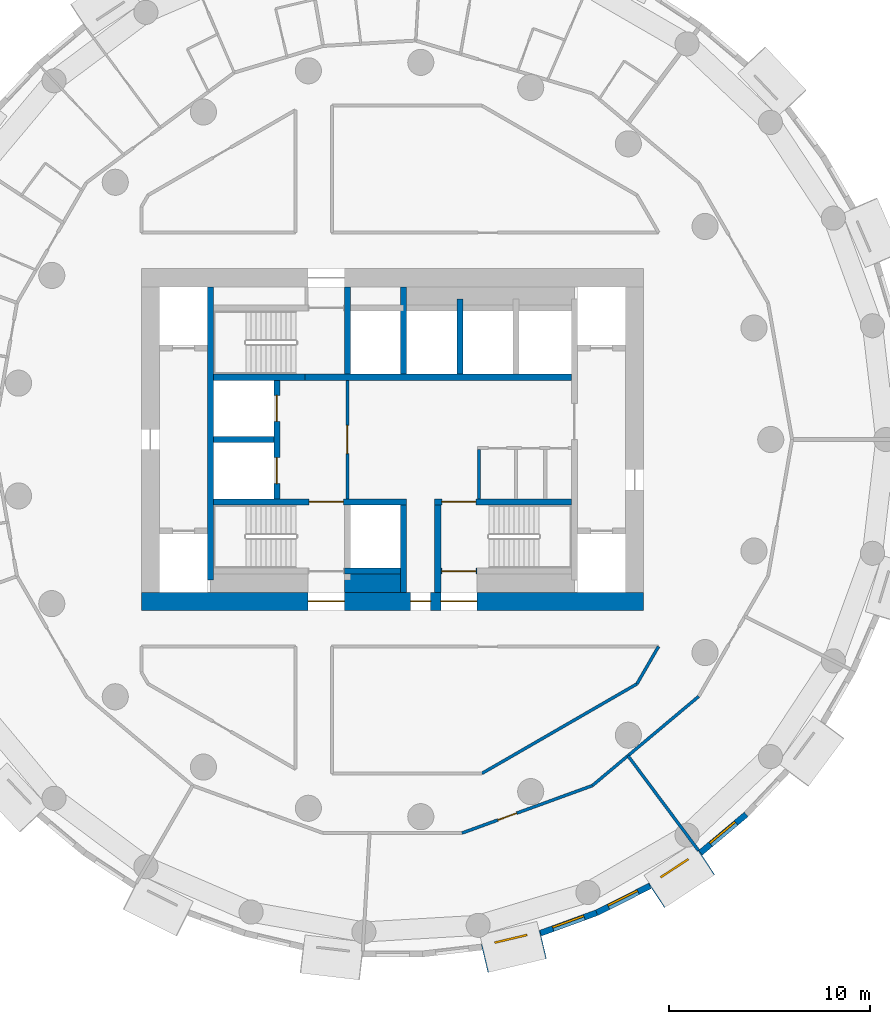
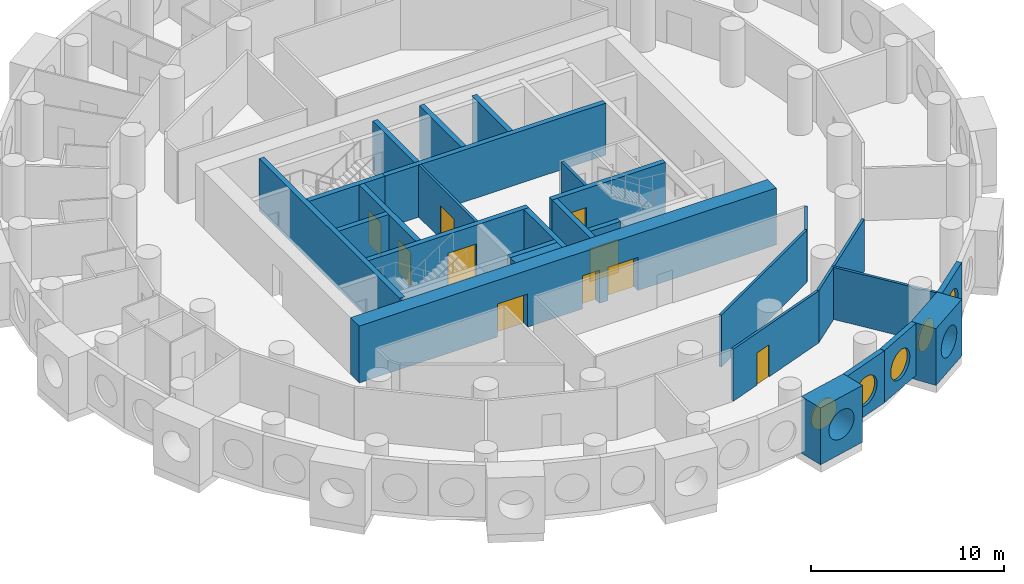
# One storey, part 4 of 10: 28 walls, 10 doors, 5 windows, 15 openings.
"""IFC4 building model written with IfcOpenShell, lengths in metres."""

from ifc_helpers import new_model, si_unit, direction, frame, frame_2d, origin, origin_2d, place, context, subcontext, project, spatial, rectangle, circle, extrude, material, layer, layer_set, type_object, element, fill, save


model = new_model("IFC4")

# Units and contexts
model_context = context("Model", 3, precision=1e-05, world=origin(), true_north=direction((0.0, 1.0)))
body_context = subcontext(model_context, "Body", "Model", "MODEL_VIEW")
ifc_project = project(units=[si_unit("LENGTHUNIT", "METRE"), si_unit("AREAUNIT", "SQUARE_METRE"), si_unit("VOLUMEUNIT", "CUBIC_METRE"), si_unit("PLANEANGLEUNIT", "RADIAN"), si_unit("MASSUNIT", "GRAM", prefix="KILO")], contexts=[model_context])

# Site, building, storey
site_placement = place(None, origin())
site = spatial("IfcSite", under=ifc_project, at=site_placement, CompositionType="ELEMENT")
building_placement = place(site_placement, origin())
building = spatial("IfcBuilding", under=site, at=building_placement, Name="Tracery Tower", CompositionType="ELEMENT")
storey_placement = place(building_placement, frame((0.0, 0.0, 140.39990234375)))
storey = spatial("IfcBuildingStorey", under=building, at=storey_placement, Name="L35", CompositionType="ELEMENT", Elevation=140.39990234375)

# Wall, opening, door
ifc_material_1 = material(Name="Plasterboard on steel studs", Category="steel")
ifc_layer_1 = layer(ifc_material_1, 0.14990234375)
ifc_layer_set_1 = layer_set([ifc_layer_1], Name="Core lobby partition 150")
wall_type_1 = type_object("IfcWallType", Name="Core lobby partition 150", PredefinedType="SOLIDWALL", material=ifc_layer_set_1)
wall_1_placement = place(storey_placement, frame((-2.25, -2.949951171875, 0.0), z_axis=(0.0, 0.0, 1.0), x_axis=(0.0, 1.0, 0.0)))
wall_1 = element("IfcWall", 1, at=wall_1_placement, inside=storey, type_object=wall_type_1, Name="L35 FF lobby E", PredefinedType="SOLIDWALL", context=body_context, shape_type="SweptSolid", body=[
    extrude(rectangle(XDim=5.89990234375, YDim=0.14990234375, at=frame_2d((2.949951171875, 0.0))), origin(), (0.0, 0.0, 1.0), 3.300048828125),
])
opening_1_placement = place(wall_1_placement, frame((2.25, 0.0, 0.0)))
opening_1 = element("IfcOpeningElement", 2, at=opening_1_placement, cuts=wall_1, Name="Opening KD8", PredefinedType="OPENING", context=body_context, shape_type="SweptSolid", body=[
    extrude(rectangle(XDim=1.39990234375, YDim=2.10009765625, at=frame_2d((0.699951171875, 1.050048828125))), frame((0.0, 0.074951171875, 0.0), z_axis=(0.0, -1.0, 0.0), x_axis=(1.0, 0.0, 0.0)), (0.0, 0.0, 1.0), 0.14990234375),
])
ifc_material_2 = material(Name="Steel fire door", Category="steel")
door_type_1 = type_object("IfcDoorType", Name="Core lobby door 1400 double", OperationType="NOTDEFINED", PredefinedType="DOOR", material=ifc_material_2)
door_1_placement = place(opening_1_placement, origin())
door_1 = element("IfcDoor", 3, at=door_1_placement, inside=storey, type_object=door_type_1, Name="Fire-fighting lobby door", OperationType="DOUBLE_DOOR_SINGLE_SWING", OverallHeight=2.10009765625, OverallWidth=1.39990234375, PredefinedType="DOOR", context=body_context, shape_type="SweptSolid", body=[
    extrude(rectangle(XDim=1.39990234375, YDim=2.10009765625, at=frame_2d((0.699951171875, 1.050048828125))), frame((0.0, 0.02490234375, 0.0), z_axis=(0.0, -1.0, 0.0), x_axis=(1.0, 0.0, 0.0)), (0.0, 0.0, 1.0), 0.050048828125),
])
fill(opening_1, door_1)

# Walls
ifc_material_3 = material(Name="Plasterboard on steel studs", Category="steel")
ifc_layer_2 = layer(ifc_material_3, 0.14990234375)
ifc_layer_set_2 = layer_set([ifc_layer_2], Name="Core room partition 150")
wall_type_2 = type_object("IfcWallType", Name="Core room partition 150", PredefinedType="SOLIDWALL", material=ifc_layer_set_2)
wall_2_placement = place(storey_placement, frame((4.300048828125, -2.949951171875, 0.0), z_axis=(0.0, 0.0, 1.0), x_axis=(0.0, 1.0, 0.0)))
element("IfcWall", 4, at=wall_2_placement, inside=storey, type_object=wall_type_2, Name="L35 slot W", PredefinedType="SOLIDWALL", context=body_context, shape_type="SweptSolid", body=[
    extrude(rectangle(XDim=2.449951171875, YDim=0.14990234375, at=frame_2d((1.22509765625, 0.0))), origin(), (0.0, 0.0, 1.0), 3.300048828125),
])
ifc_material_4 = material(Name="Concrete C50/60", Category="concrete")
ifc_layer_3 = layer(ifc_material_4, 0.89990234375)
ifc_layer_set_3 = layer_set([ifc_layer_3], Name="Core strip wall 900 C50")
wall_type_3 = type_object("IfcWallType", Name="Core strip wall 900 C50", PredefinedType="SOLIDWALL", material=ifc_layer_set_3)
wall_3_placement = place(storey_placement, frame((-2.39990234375, -7.14990234375, 0.0), z_axis=(0.0, 0.0, 1.0), x_axis=(1.0, 0.0, 0.0)))
element("IfcWall", 5, at=wall_3_placement, inside=storey, type_object=wall_type_3, Name="L35 F thick S mid", PredefinedType="SOLIDWALL", context=body_context, shape_type="SweptSolid", body=[
    extrude(rectangle(XDim=2.7998046875, YDim=0.89990234375, at=frame_2d((1.39990234375, 0.0))), origin(), (0.0, 0.0, 1.0), 3.300048828125),
])

# Wall, openings, doors
ifc_material_5 = material(Name="Concrete C50/60", Category="concrete")
ifc_layer_4 = layer(ifc_material_5, 0.89990234375)
ifc_layer_set_4 = layer_set([ifc_layer_4], Name="Core wall 900 C50")
wall_type_4 = type_object("IfcWallType", Name="Core wall 900 C50", PredefinedType="SOLIDWALL", material=ifc_layer_set_4)
wall_4_placement = place(storey_placement, frame((-12.5, -8.050048828125, 0.0), z_axis=(0.0, 0.0, 1.0), x_axis=(1.0, 0.0, 0.0)))
wall_4 = element("IfcWall", 6, at=wall_4_placement, inside=storey, type_object=wall_type_4, Name="L35 outer S", PredefinedType="SOLIDWALL", context=body_context, shape_type="SweptSolid", body=[
    extrude(rectangle(XDim=25.0, YDim=0.89990234375, at=frame_2d((12.5, 0.0))), origin(), (0.0, 0.0, 1.0), 3.60009765625),
])
opening_2_placement = place(wall_4_placement, frame((13.39990234375, 0.0, 0.0)))
opening_2 = element("IfcOpeningElement", 7, at=opening_2_placement, cuts=wall_4, Name="Opening KD16", PredefinedType="OPENING", context=body_context, shape_type="SweptSolid", body=[
    extrude(rectangle(XDim=1.0, YDim=2.10009765625, at=frame_2d((0.5, 1.050048828125))), frame((0.0, 0.449951171875, 0.0), z_axis=(0.0, -1.0, 0.0), x_axis=(1.0, 0.0, 0.0)), (0.0, 0.0, 1.0), 0.89990234375),
])
opening_3_placement = place(wall_4_placement, frame((8.300048828125, 0.0, 0.0)))
opening_3 = element("IfcOpeningElement", 8, at=opening_3_placement, cuts=wall_4, Name="Opening KD13", PredefinedType="OPENING", context=body_context, shape_type="SweptSolid", body=[
    extrude(rectangle(XDim=1.800048828125, YDim=2.10009765625, at=frame_2d((0.89990234375, 1.050048828125))), frame((0.0, 0.449951171875, 0.0), z_axis=(0.0, -1.0, 0.0), x_axis=(1.0, 0.0, 0.0)), (0.0, 0.0, 1.0), 0.89990234375),
])
opening_4_placement = place(wall_4_placement, frame((14.89990234375, 0.0, 0.0)))
opening_4 = element("IfcOpeningElement", 9, at=opening_4_placement, cuts=wall_4, Name="Opening KD13", PredefinedType="OPENING", context=body_context, shape_type="SweptSolid", body=[
    extrude(rectangle(XDim=1.800048828125, YDim=2.10009765625, at=frame_2d((0.89990234375, 1.050048828125))), frame((0.0, 0.449951171875, 0.0), z_axis=(0.0, -1.0, 0.0), x_axis=(1.0, 0.0, 0.0)), (0.0, 0.0, 1.0), 0.89990234375),
])
ifc_material_6 = material(Name="Steel fire door", Category="steel")
door_type_2 = type_object("IfcDoorType", Name="Core exit door 1000", OperationType="NOTDEFINED", PredefinedType="DOOR", material=ifc_material_6)
door_2_placement = place(opening_2_placement, origin())
door_2 = element("IfcDoor", 10, at=door_2_placement, inside=storey, type_object=door_type_2, Name="Core exit door", OperationType="SINGLE_SWING_LEFT", OverallHeight=2.10009765625, OverallWidth=1.0, PredefinedType="DOOR", context=body_context, shape_type="SweptSolid", body=[
    extrude(rectangle(XDim=1.0, YDim=2.10009765625, at=frame_2d((0.5, 1.050048828125))), frame((0.0, 0.02490234375, 0.0), z_axis=(0.0, -1.0, 0.0), x_axis=(1.0, 0.0, 0.0)), (0.0, 0.0, 1.0), 0.050048828125),
])
fill(opening_2, door_2)
ifc_material_7 = material(Name="Steel fire door", Category="steel")
door_type_3 = type_object("IfcDoorType", Name="Core exit door 1800 double", OperationType="NOTDEFINED", PredefinedType="DOOR", material=ifc_material_7)
door_3_placement = place(opening_3_placement, origin())
door_3 = element("IfcDoor", 11, at=door_3_placement, inside=storey, type_object=door_type_3, Name="Core exit door", OperationType="DOUBLE_DOOR_SINGLE_SWING", OverallHeight=2.10009765625, OverallWidth=1.800048828125, PredefinedType="DOOR", context=body_context, shape_type="SweptSolid", body=[
    extrude(rectangle(XDim=1.800048828125, YDim=2.10009765625, at=frame_2d((0.89990234375, 1.050048828125))), frame((0.0, 0.02490234375, 0.0), z_axis=(0.0, -1.0, 0.0), x_axis=(1.0, 0.0, 0.0)), (0.0, 0.0, 1.0), 0.050048828125),
])
fill(opening_3, door_3)
door_4_placement = place(opening_4_placement, origin())
door_4 = element("IfcDoor", 12, at=door_4_placement, inside=storey, type_object=door_type_3, Name="Core exit door", OperationType="DOUBLE_DOOR_SINGLE_SWING", OverallHeight=2.10009765625, OverallWidth=1.800048828125, PredefinedType="DOOR", context=body_context, shape_type="SweptSolid", body=[
    extrude(rectangle(XDim=1.800048828125, YDim=2.10009765625, at=frame_2d((0.89990234375, 1.050048828125))), frame((0.0, 0.02490234375, 0.0), z_axis=(0.0, -1.0, 0.0), x_axis=(1.0, 0.0, 0.0)), (0.0, 0.0, 1.0), 0.050048828125),
])
fill(opening_4, door_4)

# Wall, opening, window
ifc_material_8 = material(Name="Precast concrete C50/60", Category="concrete")
ifc_layer_5 = layer(ifc_material_8, 1.449951171875)
ifc_layer_set_5 = layer_set([ifc_layer_5], Name="Deep-set bay unit 3000 x 3600, slab edge 300")
wall_type_5 = type_object("IfcWallType", Name="Deep-set bay unit 3000 x 3600, slab edge 300", PredefinedType="ELEMENTEDWALL", material=ifc_layer_set_5)
wall_5_placement = place(storey_placement, frame((4.57763671875, -25.8193359375, -0.2998046875), z_axis=(0.0, 0.0, 1.0), x_axis=(0.973042333261, 0.23062657627, 0.0)))
wall_5 = element("IfcWall", 13, at=wall_5_placement, inside=storey, type_object=wall_type_5, Name="Deep-set bay unit 43 at L35", PredefinedType="ELEMENTEDWALL", context=body_context, shape_type="SweptSolid", body=[
    extrude(rectangle(XDim=3.0, YDim=1.449951171875, at=frame_2d((1.5, 0.0))), origin(), (0.0, 0.0, 1.0), 3.599853515625),
])
opening_5_placement = place(wall_5_placement, frame((1.5, 0.0, 1.85009765625)))
opening_5 = element("IfcOpeningElement", 14, at=opening_5_placement, cuts=wall_5, Name="Opening WN1", PredefinedType="OPENING", context=body_context, shape_type="SweptSolid", body=[
    extrude(circle(Radius=0.9000244140625, at=origin_2d()), frame((0.0, 0.73486328125, 0.0), z_axis=(0.0, -1.0, 0.0), x_axis=(1.0, 0.0, 0.0)), (0.0, 0.0, 1.0), 1.469970703125),
])
ifc_material_9 = material(Name="Aluminium frame with tinted double glazing", Category="aluminium")
window_type = type_object("IfcWindowType", Name="Round window 1800", PartitioningType="SINGLE_PANEL", PredefinedType="WINDOW", material=ifc_material_9)
window_1_placement = place(opening_5_placement, origin())
window_1 = element("IfcWindow", 15, at=window_1_placement, inside=storey, type_object=window_type, Name="Round window 43 at L35", OverallHeight=1.800048828125, OverallWidth=1.800048828125, PartitioningType="SINGLE_PANEL", PredefinedType="WINDOW", context=body_context, shape_type="SweptSolid", body=[
    extrude(circle(Radius=0.9000244140625, at=origin_2d()), frame((0.0, 0.69482421875, 0.0), z_axis=(0.0, -1.0, 0.0), x_axis=(1.0, 0.0, 0.0)), (0.0, 0.0, 1.0), 0.10009765625),
])
fill(opening_5, window_1)

wall_6_placement = place(storey_placement, frame((13.13232421875, -22.696533203125, -0.2998046875), z_axis=(0.0, 0.0, 1.0), x_axis=(0.835514416706, 0.549468524554, 0.0)))
wall_6 = element("IfcWall", 16, at=wall_6_placement, inside=storey, type_object=wall_type_5, Name="Deep-set bay unit 46 at L35", PredefinedType="ELEMENTEDWALL", context=body_context, shape_type="SweptSolid", body=[
    extrude(rectangle(XDim=3.0, YDim=1.449951171875, at=frame_2d((1.5, 0.0))), origin(), (0.0, 0.0, 1.0), 3.599853515625),
])
opening_6_placement = place(wall_6_placement, frame((1.5, 0.0, 1.85009765625)))
opening_6 = element("IfcOpeningElement", 17, at=opening_6_placement, cuts=wall_6, Name="Opening WN1", PredefinedType="OPENING", context=body_context, shape_type="SweptSolid", body=[
    extrude(circle(Radius=0.9000244140625, at=origin_2d()), frame((0.0, 0.73486328125, 0.0), z_axis=(0.0, -1.0, 0.0), x_axis=(1.0, 0.0, 0.0)), (0.0, 0.0, 1.0), 1.469970703125),
])
window_2_placement = place(opening_6_placement, origin())
window_2 = element("IfcWindow", 18, at=window_2_placement, inside=storey, type_object=window_type, Name="Round window 46 at L35", OverallHeight=1.800048828125, OverallWidth=1.800048828125, PartitioningType="SINGLE_PANEL", PredefinedType="WINDOW", context=body_context, shape_type="SweptSolid", body=[
    extrude(circle(Radius=0.9000244140625, at=origin_2d()), frame((0.0, 0.69482421875, 0.0), z_axis=(0.0, -1.0, 0.0), x_axis=(1.0, 0.0, 0.0)), (0.0, 0.0, 1.0), 0.10009765625),
])
fill(opening_6, window_2)

ifc_material_10 = material(Name="Precast concrete C50/60", Category="concrete")
ifc_layer_6 = layer(ifc_material_10, 0.300048828125)
ifc_layer_set_6 = layer_set([ifc_layer_6], Name="Facade panel 3000 x 3300")
wall_type_6 = type_object("IfcWallType", Name="Facade panel 3000 x 3300", PredefinedType="SOLIDWALL", material=ifc_layer_set_6)
wall_7_placement = place(storey_placement, frame((7.36474609375, -24.566650390625, 0.0), z_axis=(0.0, 0.0, 1.0), x_axis=(0.939690282133, 0.342026568652, 0.0)))
wall_7 = element("IfcWall", 19, at=wall_7_placement, inside=storey, type_object=wall_type_6, Name="Facade panel 44 at L35", PredefinedType="SOLIDWALL", context=body_context, shape_type="SweptSolid", body=[
    extrude(rectangle(XDim=2.972900390625, YDim=0.300048828125, at=frame_2d((1.486328125, 0.0))), origin(), (0.0, 0.0, 1.0), 3.300048828125),
])
opening_7_placement = place(wall_7_placement, frame((1.486328125, 0.0, 1.5498046875)))
opening_7 = element("IfcOpeningElement", 20, at=opening_7_placement, cuts=wall_7, Name="Opening WN1", PredefinedType="OPENING", context=body_context, shape_type="SweptSolid", body=[
    extrude(circle(Radius=0.9000244140625, at=origin_2d()), frame((0.0, 0.159912109375, 0.0), z_axis=(0.0, -1.0, 0.0), x_axis=(1.0, 0.0, 0.0)), (0.0, 0.0, 1.0), 0.320068359375),
])
window_3_placement = place(opening_7_placement, origin())
window_3 = element("IfcWindow", 21, at=window_3_placement, inside=storey, type_object=window_type, Name="Round window 44 at L35", OverallHeight=1.800048828125, OverallWidth=1.800048828125, PartitioningType="SINGLE_PANEL", PredefinedType="WINDOW", context=body_context, shape_type="SweptSolid", body=[
    extrude(circle(Radius=0.9000244140625, at=origin_2d()), frame((0.0, 0.1201171875, 0.0), z_axis=(0.0, -1.0, 0.0), x_axis=(1.0, 0.0, 0.0)), (0.0, 0.0, 1.0), 0.10009765625),
])
fill(opening_7, window_3)

wall_8_placement = place(storey_placement, frame((10.158447265625, -23.5498046875, 0.0), z_axis=(0.0, 0.0, 1.0), x_axis=(0.893637442555, 0.448789618045, 0.0)))
wall_8 = element("IfcWall", 22, at=wall_8_placement, inside=storey, type_object=wall_type_6, Name="Facade panel 45 at L35", PredefinedType="SOLIDWALL", context=body_context, shape_type="SweptSolid", body=[
    extrude(rectangle(XDim=2.972900390625, YDim=0.300048828125, at=frame_2d((1.486328125, 0.0))), origin(), (0.0, 0.0, 1.0), 3.300048828125),
])
opening_8_placement = place(wall_8_placement, frame((1.486328125, 0.0, 1.5498046875)))
opening_8 = element("IfcOpeningElement", 23, at=opening_8_placement, cuts=wall_8, Name="Opening WN1", PredefinedType="OPENING", context=body_context, shape_type="SweptSolid", body=[
    extrude(circle(Radius=0.9000244140625, at=origin_2d()), frame((0.0, 0.159912109375, 0.0), z_axis=(0.0, -1.0, 0.0), x_axis=(1.0, 0.0, 0.0)), (0.0, 0.0, 1.0), 0.320068359375),
])
window_4_placement = place(opening_8_placement, origin())
window_4 = element("IfcWindow", 24, at=window_4_placement, inside=storey, type_object=window_type, Name="Round window 45 at L35", OverallHeight=1.800048828125, OverallWidth=1.800048828125, PartitioningType="SINGLE_PANEL", PredefinedType="WINDOW", context=body_context, shape_type="SweptSolid", body=[
    extrude(circle(Radius=0.9000244140625, at=origin_2d()), frame((0.0, 0.1201171875, 0.0), z_axis=(0.0, -1.0, 0.0), x_axis=(1.0, 0.0, 0.0)), (0.0, 0.0, 1.0), 0.10009765625),
])
fill(opening_8, window_4)

wall_9_placement = place(storey_placement, frame((15.322998046875, -20.566162109375, 0.0), z_axis=(0.0, 0.0, 1.0), x_axis=(0.766049350637, 0.642781761089, 0.0)))
wall_9 = element("IfcWall", 25, at=wall_9_placement, inside=storey, type_object=wall_type_6, Name="Facade panel 47 at L35", PredefinedType="SOLIDWALL", context=body_context, shape_type="SweptSolid", body=[
    extrude(rectangle(XDim=2.972900390625, YDim=0.300048828125, at=frame_2d((1.486328125, 0.0))), origin(), (0.0, 0.0, 1.0), 3.300048828125),
])
opening_9_placement = place(wall_9_placement, frame((1.486328125, 0.0, 1.5498046875)))
opening_9 = element("IfcOpeningElement", 26, at=opening_9_placement, cuts=wall_9, Name="Opening WN1", PredefinedType="OPENING", context=body_context, shape_type="SweptSolid", body=[
    extrude(circle(Radius=0.9000244140625, at=origin_2d()), frame((0.0, 0.159912109375, 0.0), z_axis=(0.0, -1.0, 0.0), x_axis=(1.0, 0.0, 0.0)), (0.0, 0.0, 1.0), 0.320068359375),
])
window_5_placement = place(opening_9_placement, origin())
window_5 = element("IfcWindow", 27, at=window_5_placement, inside=storey, type_object=window_type, Name="Round window 47 at L35", OverallHeight=1.800048828125, OverallWidth=1.800048828125, PartitioningType="SINGLE_PANEL", PredefinedType="WINDOW", context=body_context, shape_type="SweptSolid", body=[
    extrude(circle(Radius=0.9000244140625, at=origin_2d()), frame((0.0, 0.1201171875, 0.0), z_axis=(0.0, -1.0, 0.0), x_axis=(1.0, 0.0, 0.0)), (0.0, 0.0, 1.0), 0.10009765625),
])
fill(opening_9, window_5)

# Walls
ifc_material_11 = material(Name="Plasterboard on steel studs", Category="steel")
ifc_layer_7 = layer(ifc_material_11, 0.14990234375)
ifc_layer_set_7 = layer_set([ifc_layer_7], Name="Partition 150 acoustic unit wall")
wall_type_7 = type_object("IfcWallType", Name="Partition 150 acoustic unit wall", PredefinedType="PARTITIONING", material=ifc_layer_set_7)
wall_10_placement = place(storey_placement, frame((11.716064453125, -15.737060546875, 0.0), z_axis=(0.0, 0.0, 1.0), x_axis=(0.597151875745, -0.802128192557, 0.0)))
element("IfcWall", 28, at=wall_10_placement, inside=storey, type_object=wall_type_7, Name="Unit wall RB2-079", PredefinedType="PARTITIONING", context=body_context, shape_type="SweptSolid", body=[
    extrude(rectangle(XDim=5.8779296875, YDim=0.14990234375, at=frame_2d((2.93896484375, 0.0))), origin(), (0.0, 0.0, 1.0), 3.300048828125),
])
ifc_material_12 = material(Name="Plasterboard on steel studs", Category="steel")
ifc_layer_8 = layer(ifc_material_12, 0.14990234375)
ifc_layer_set_8 = layer_set([ifc_layer_8], Name="Partition 150 corridor wall")
wall_type_8 = type_object("IfcWallType", Name="Partition 150 corridor wall", PredefinedType="PARTITIONING", material=ifc_layer_set_8)
wall_11_placement = place(storey_placement, frame((12.162109375, -12.162109375, 0.0), z_axis=(0.0, 0.0, 1.0), x_axis=(0.499961633463, 0.866047553582, 0.0)))
element("IfcWall", 29, at=wall_11_placement, inside=storey, type_object=wall_type_8, Name="Corridor wall RB2-006", PredefinedType="PARTITIONING", context=body_context, shape_type="SweptSolid", body=[
    extrude(rectangle(XDim=2.150146484375, YDim=0.14990234375, at=frame_2d((1.0751953125, 0.0))), origin(), (0.0, 0.0, 1.0), 3.300048828125),
])
wall_12_placement = place(storey_placement, frame((9.943359375, -17.22216796875, 0.0), z_axis=(0.0, 0.0, 1.0), x_axis=(0.766192104565, 0.642611592567, 0.0)))
element("IfcWall", 30, at=wall_12_placement, inside=storey, type_object=wall_type_8, Name="Corridor wall RB2-011", PredefinedType="PARTITIONING", context=body_context, shape_type="SweptSolid", body=[
    extrude(rectangle(XDim=6.906494140625, YDim=0.14990234375, at=frame_2d((3.453125, 0.0))), origin(), (0.0, 0.0, 1.0), 3.300048828125),
])
wall_13_placement = place(storey_placement, frame((4.451904296875, -16.614013671875, 0.0), z_axis=(0.0, 0.0, 1.0), x_axis=(0.866005203721, 0.500034985904, 0.0)))
element("IfcWall", 31, at=wall_13_placement, inside=storey, type_object=wall_type_8, Name="Corridor wall RB2-036", PredefinedType="PARTITIONING", context=body_context, shape_type="SweptSolid", body=[
    extrude(rectangle(XDim=8.903076171875, YDim=0.14990234375, at=frame_2d((4.45166015625, 0.0))), origin(), (0.0, 0.0, 1.0), 3.300048828125),
])

# Wall, opening, door
wall_14_placement = place(storey_placement, frame((3.452880859375, -19.5859375, 0.0), z_axis=(0.0, 0.0, 1.0), x_axis=(0.939672634566, 0.342075050021, 0.0)))
wall_14 = element("IfcWall", 32, at=wall_14_placement, inside=storey, type_object=wall_type_8, Name="Corridor wall RB2-039", PredefinedType="PARTITIONING", context=body_context, shape_type="SweptSolid", body=[
    extrude(rectangle(XDim=6.907958984375, YDim=0.14990234375, at=frame_2d((3.4541015625, 0.0))), origin(), (0.0, 0.0, 1.0), 3.300048828125),
])
opening_10_placement = place(wall_14_placement, frame((1.90380859375, 0.0, 0.0)))
opening_10 = element("IfcOpeningElement", 33, at=opening_10_placement, cuts=wall_14, Name="Opening RB2-30", PredefinedType="OPENING", context=body_context, shape_type="SweptSolid", body=[
    extrude(rectangle(XDim=1.0, YDim=2.0400390625, at=frame_2d((0.5, 1.02001953125))), frame((0.0, 0.074951171875, 0.0), z_axis=(0.0, -1.0, 0.0), x_axis=(1.0, 0.0, 0.0)), (0.0, 0.0, 1.0), 0.14990234375),
])
ifc_material_13 = material(Name="Timber door leaf", Category="wood")
door_type_4 = type_object("IfcDoorType", Name="Door communal room 1000", OperationType="NOTDEFINED", PredefinedType="DOOR", material=ifc_material_13)
door_5_placement = place(opening_10_placement, origin())
door_5 = element("IfcDoor", 34, at=door_5_placement, inside=storey, type_object=door_type_4, Name="Communal room door RB2-30", OperationType="SINGLE_SWING_RIGHT", OverallHeight=2.0400390625, OverallWidth=1.0, PredefinedType="DOOR", context=body_context, shape_type="SweptSolid", body=[
    extrude(rectangle(XDim=1.0, YDim=2.0400390625, at=frame_2d((0.5, 1.02001953125))), frame((0.0, 0.02490234375, 0.0), z_axis=(0.0, -1.0, 0.0), x_axis=(1.0, 0.0, 0.0)), (0.0, 0.0, 1.0), 0.050048828125),
])
fill(opening_10, door_5)

# Wall
ifc_material_14 = material(Name="Concrete C50/60", Category="concrete")
ifc_layer_9 = layer(ifc_material_14, 0.300048828125)
ifc_layer_set_9 = layer_set([ifc_layer_9], Name="Shaft wall 300 C50")
wall_type_9 = type_object("IfcWallType", Name="Shaft wall 300 C50", PredefinedType="SOLIDWALL", material=ifc_layer_set_9)
wall_15_placement = place(storey_placement, frame((-8.89990234375, 0.0, 0.0), z_axis=(0.0, 0.0, 1.0), x_axis=(1.0, 0.0, 0.0)))
element("IfcWall", 35, at=wall_15_placement, inside=storey, type_object=wall_type_9, Name="L35 FF split", PredefinedType="SOLIDWALL", context=body_context, shape_type="SweptSolid", body=[
    extrude(rectangle(XDim=3.0, YDim=0.300048828125, at=frame_2d((1.5, 0.0))), origin(), (0.0, 0.0, 1.0), 3.300048828125),
])

# Wall, openings, doors
wall_16_placement = place(storey_placement, frame((-5.75, -2.949951171875, 0.0), z_axis=(0.0, 0.0, 1.0), x_axis=(0.0, 1.0, 0.0)))
wall_16 = element("IfcWall", 36, at=wall_16_placement, inside=storey, type_object=wall_type_9, Name="L35 FF doors", PredefinedType="SOLIDWALL", context=body_context, shape_type="SweptSolid", body=[
    extrude(rectangle(XDim=5.89990234375, YDim=0.300048828125, at=frame_2d((2.949951171875, 0.0))), origin(), (0.0, 0.0, 1.0), 3.300048828125),
])
opening_11_placement = place(wall_16_placement, frame((0.75, 0.0, 0.0)))
opening_11 = element("IfcOpeningElement", 37, at=opening_11_placement, cuts=wall_16, Name="Opening KD54", PredefinedType="OPENING", context=body_context, shape_type="SweptSolid", body=[
    extrude(rectangle(XDim=1.300048828125, YDim=2.10009765625, at=frame_2d((0.64990234375, 1.050048828125))), frame((0.0, 0.14990234375, 0.0), z_axis=(0.0, -1.0, 0.0), x_axis=(1.0, 0.0, 0.0)), (0.0, 0.0, 1.0), 0.300048828125),
])
opening_12_placement = place(wall_16_placement, frame((3.85009765625, 0.0, 0.0)))
opening_12 = element("IfcOpeningElement", 38, at=opening_12_placement, cuts=wall_16, Name="Opening KD55", PredefinedType="OPENING", context=body_context, shape_type="SweptSolid", body=[
    extrude(rectangle(XDim=1.300048828125, YDim=2.10009765625, at=frame_2d((0.64990234375, 1.050048828125))), frame((0.0, 0.14990234375, 0.0), z_axis=(0.0, -1.0, 0.0), x_axis=(1.0, 0.0, 0.0)), (0.0, 0.0, 1.0), 0.300048828125),
])
ifc_material_15 = material(Name="Steel fire door", Category="steel")
door_type_5 = type_object("IfcDoorType", Name="Landing door FF 1300", OperationType="NOTDEFINED", PredefinedType="DOOR", material=ifc_material_15)
door_6_placement = place(opening_11_placement, origin())
door_6 = element("IfcDoor", 39, at=door_6_placement, inside=storey, type_object=door_type_5, Name="Landing door FF1", OperationType="SLIDING_TO_LEFT", OverallHeight=2.10009765625, OverallWidth=1.300048828125, PredefinedType="DOOR", context=body_context, shape_type="SweptSolid", body=[
    extrude(rectangle(XDim=1.300048828125, YDim=2.10009765625, at=frame_2d((0.64990234375, 1.050048828125))), frame((0.0, 0.02490234375, 0.0), z_axis=(0.0, -1.0, 0.0), x_axis=(1.0, 0.0, 0.0)), (0.0, 0.0, 1.0), 0.050048828125),
])
fill(opening_11, door_6)
door_7_placement = place(opening_12_placement, origin())
door_7 = element("IfcDoor", 40, at=door_7_placement, inside=storey, type_object=door_type_5, Name="Landing door FF2", OperationType="SLIDING_TO_RIGHT", OverallHeight=2.10009765625, OverallWidth=1.300048828125, PredefinedType="DOOR", context=body_context, shape_type="SweptSolid", body=[
    extrude(rectangle(XDim=1.300048828125, YDim=2.10009765625, at=frame_2d((0.64990234375, 1.050048828125))), frame((0.0, 0.02490234375, 0.0), z_axis=(0.0, -1.0, 0.0), x_axis=(1.0, 0.0, 0.0)), (0.0, 0.0, 1.0), 0.050048828125),
])
fill(opening_12, door_7)

# Walls
for number, where, z_axis, x_axis, name in (
    (41, (0.550048828125, -7.60009765625, 0.0), (0.0, 0.0, 1.0), (0.0, 1.0, 0.0), "L35 OB2 E"),
    (42, (0.550048828125, 3.25, 0.0), (0.0, 0.0, 1.0), (0.0, 1.0, 0.0), "L35 HR sep 1"),
):
    element("IfcWall", number, at=place(storey_placement, frame(where, z_axis=z_axis, x_axis=x_axis)), inside=storey, type_object=wall_type_9, Name=name, PredefinedType="SOLIDWALL", context=body_context, shape_type="SweptSolid", body=[
        extrude(rectangle(XDim=4.35009765625, YDim=0.300048828125, at=frame_2d((2.175048828125, 0.0))), origin(), (0.0, 0.0, 1.0), 3.300048828125),
    ])
wall_17_placement = place(storey_placement, frame((3.35009765625, 3.25, 0.0), z_axis=(0.0, 0.0, 1.0), x_axis=(0.0, 1.0, 0.0)))
element("IfcWall", 43, at=wall_17_placement, inside=storey, type_object=wall_type_9, Name="L35 HR sep 2", PredefinedType="SOLIDWALL", context=body_context, shape_type="SweptSolid", body=[
    extrude(rectangle(XDim=3.75, YDim=0.300048828125, at=frame_2d((1.875, 0.0))), origin(), (0.0, 0.0, 1.0), 3.300048828125),
])

# Wall, opening, door
ifc_material_16 = material(Name="Concrete C50/60", Category="concrete")
ifc_layer_10 = layer(ifc_material_16, 0.300048828125)
ifc_layer_set_10 = layer_set([ifc_layer_10], Name="Stair wall 300 C50")
wall_type_10 = type_object("IfcWallType", Name="Stair wall 300 C50", PredefinedType="SOLIDWALL", material=ifc_layer_set_10)
wall_18_placement = place(storey_placement, frame((-8.89990234375, -3.10009765625, 0.0), z_axis=(0.0, 0.0, 1.0), x_axis=(1.0, 0.0, 0.0)))
wall_18 = element("IfcWall", 44, at=wall_18_placement, inside=storey, type_object=wall_type_10, Name="L35 row S", PredefinedType="SOLIDWALL", context=body_context, shape_type="SweptSolid", body=[
    extrude(rectangle(XDim=9.599853515625, YDim=0.300048828125, at=frame_2d((4.7998046875, 0.0))), origin(), (0.0, 0.0, 1.0), 3.300048828125),
])
opening_13_placement = place(wall_18_placement, frame((4.75, 0.0, 0.0)))
opening_13 = element("IfcOpeningElement", 45, at=opening_13_placement, cuts=wall_18, Name="Opening KD3", PredefinedType="OPENING", context=body_context, shape_type="SweptSolid", body=[
    extrude(rectangle(XDim=1.699951171875, YDim=2.10009765625, at=frame_2d((0.85009765625, 1.050048828125))), frame((0.0, 0.14990234375, 0.0), z_axis=(0.0, -1.0, 0.0), x_axis=(1.0, 0.0, 0.0)), (0.0, 0.0, 1.0), 0.300048828125),
])
ifc_material_17 = material(Name="Steel fire door", Category="steel")
door_type_6 = type_object("IfcDoorType", Name="Core stair door 1700 double", OperationType="NOTDEFINED", PredefinedType="DOOR", material=ifc_material_17)
door_8_placement = place(opening_13_placement, origin())
door_8 = element("IfcDoor", 46, at=door_8_placement, inside=storey, type_object=door_type_6, Name="Stair door ST1", OperationType="DOUBLE_DOOR_SINGLE_SWING", OverallHeight=2.10009765625, OverallWidth=1.699951171875, PredefinedType="DOOR", context=body_context, shape_type="SweptSolid", body=[
    extrude(rectangle(XDim=1.699951171875, YDim=2.10009765625, at=frame_2d((0.85009765625, 1.050048828125))), frame((0.0, 0.02490234375, 0.0), z_axis=(0.0, -1.0, 0.0), x_axis=(1.0, 0.0, 0.0)), (0.0, 0.0, 1.0), 0.050048828125),
])
fill(opening_13, door_8)

wall_19_placement = place(storey_placement, frame((2.10009765625, -3.10009765625, 0.0), z_axis=(0.0, 0.0, 1.0), x_axis=(1.0, 0.0, 0.0)))
wall_19 = element("IfcWall", 47, at=wall_19_placement, inside=storey, type_object=wall_type_10, Name="L35 row S E", PredefinedType="SOLIDWALL", context=body_context, shape_type="SweptSolid", body=[
    extrude(rectangle(XDim=6.7998046875, YDim=0.300048828125, at=frame_2d((3.39990234375, 0.0))), origin(), (0.0, 0.0, 1.0), 3.300048828125),
])
opening_14_placement = place(wall_19_placement, frame((0.35009765625, 0.0, 0.0)))
opening_14 = element("IfcOpeningElement", 48, at=opening_14_placement, cuts=wall_19, Name="Opening KD3", PredefinedType="OPENING", context=body_context, shape_type="SweptSolid", body=[
    extrude(rectangle(XDim=1.699951171875, YDim=2.10009765625, at=frame_2d((0.85009765625, 1.050048828125))), frame((0.0, 0.14990234375, 0.0), z_axis=(0.0, -1.0, 0.0), x_axis=(1.0, 0.0, 0.0)), (0.0, 0.0, 1.0), 0.300048828125),
])
door_9_placement = place(opening_14_placement, origin())
door_9 = element("IfcDoor", 49, at=door_9_placement, inside=storey, type_object=door_type_6, Name="Stair door ST2", OperationType="DOUBLE_DOOR_SINGLE_SWING", OverallHeight=2.10009765625, OverallWidth=1.699951171875, PredefinedType="DOOR", context=body_context, shape_type="SweptSolid", body=[
    extrude(rectangle(XDim=1.699951171875, YDim=2.10009765625, at=frame_2d((0.85009765625, 1.050048828125))), frame((0.0, 0.02490234375, 0.0), z_axis=(0.0, -1.0, 0.0), x_axis=(1.0, 0.0, 0.0)), (0.0, 0.0, 1.0), 0.050048828125),
])
fill(opening_14, door_9)

# Walls
wall_20_placement = place(storey_placement, frame((-8.89990234375, 3.10009765625, 0.0), z_axis=(0.0, 0.0, 1.0), x_axis=(1.0, 0.0, 0.0)))
element("IfcWall", 50, at=wall_20_placement, inside=storey, type_object=wall_type_10, Name="L35 row N W", PredefinedType="SOLIDWALL", context=body_context, shape_type="SweptSolid", body=[
    extrude(rectangle(XDim=4.5498046875, YDim=0.300048828125, at=frame_2d((2.27490234375, 0.0))), origin(), (0.0, 0.0, 1.0), 3.300048828125),
])
wall_21_placement = place(storey_placement, frame((-4.35009765625, 3.10009765625, 0.0), z_axis=(0.0, 0.0, 1.0), x_axis=(1.0, 0.0, 0.0)))
element("IfcWall", 51, at=wall_21_placement, inside=storey, type_object=wall_type_10, Name="L35 row N", PredefinedType="SOLIDWALL", context=body_context, shape_type="SweptSolid", body=[
    extrude(rectangle(XDim=13.25, YDim=0.300048828125, at=frame_2d((6.625, 0.0))), origin(), (0.0, 0.0, 1.0), 3.300048828125),
])
for number, where, z_axis, x_axis, name in (
    (52, (-2.25, 3.25, 0.0), (0.0, 0.0, 1.0), (0.0, 1.0, 0.0), "L35 ST3 E"),
    (53, (2.25, -7.60009765625, 0.0), (0.0, 0.0, 1.0), (0.0, 1.0, 0.0), "L35 ST2 W"),
):
    element("IfcWall", number, at=place(storey_placement, frame(where, z_axis=z_axis, x_axis=x_axis)), inside=storey, type_object=wall_type_10, Name=name, PredefinedType="SOLIDWALL", context=body_context, shape_type="SweptSolid", body=[
        extrude(rectangle(XDim=4.35009765625, YDim=0.300048828125, at=frame_2d((2.175048828125, 0.0))), origin(), (0.0, 0.0, 1.0), 3.300048828125),
    ])
wall_22_placement = place(storey_placement, frame((-9.050048828125, -7.0, 0.0), z_axis=(0.0, 0.0, 1.0), x_axis=(0.0, 1.0, 0.0)))
element("IfcWall", 54, at=wall_22_placement, inside=storey, type_object=wall_type_10, Name="L35 F wall -9", PredefinedType="SOLIDWALL", context=body_context, shape_type="SweptSolid", body=[
    extrude(rectangle(XDim=14.60009765625, YDim=0.300048828125, at=frame_2d((7.300048828125, 0.0))), origin(), (0.0, 0.0, 1.0), 3.300048828125),
])
wall_23_placement = place(storey_placement, frame((-2.39990234375, -6.550048828125, 0.0), z_axis=(0.0, 0.0, 1.0), x_axis=(1.0, 0.0, 0.0)))
element("IfcWall", 55, at=wall_23_placement, inside=storey, type_object=wall_type_10, Name="L35 F stair strip S mid", PredefinedType="SOLIDWALL", context=body_context, shape_type="SweptSolid", body=[
    extrude(rectangle(XDim=2.7998046875, YDim=0.300048828125, at=frame_2d((1.39990234375, 0.0))), origin(), (0.0, 0.0, 1.0), 3.300048828125),
])

# Wall, opening, door
wall_24_placement = place(storey_placement, frame((2.39990234375, -6.550048828125, 0.0), z_axis=(0.0, 0.0, 1.0), x_axis=(1.0, 0.0, 0.0)))
wall_24 = element("IfcWall", 56, at=wall_24_placement, inside=storey, type_object=wall_type_10, Name="L35 F stair S E", PredefinedType="SOLIDWALL", context=body_context, shape_type="SweptSolid", body=[
    extrude(rectangle(XDim=1.800048828125, YDim=0.300048828125, at=frame_2d((0.89990234375, 0.0))), origin(), (0.0, 0.0, 1.0), 3.300048828125),
])
opening_15_placement = place(wall_24_placement, frame((0.050048828125, 0.0, 0.0)))
opening_15 = element("IfcOpeningElement", 57, at=opening_15_placement, cuts=wall_24, Name="Opening KD3", PredefinedType="OPENING", context=body_context, shape_type="SweptSolid", body=[
    extrude(rectangle(XDim=1.699951171875, YDim=2.10009765625, at=frame_2d((0.85009765625, 1.050048828125))), frame((0.0, 0.14990234375, 0.0), z_axis=(0.0, -1.0, 0.0), x_axis=(1.0, 0.0, 0.0)), (0.0, 0.0, 1.0), 0.300048828125),
])
door_10_placement = place(opening_15_placement, origin())
door_10 = element("IfcDoor", 58, at=door_10_placement, inside=storey, type_object=door_type_6, Name="Stair door vest", OperationType="DOUBLE_DOOR_SINGLE_SWING", OverallHeight=2.10009765625, OverallWidth=1.699951171875, PredefinedType="DOOR", context=body_context, shape_type="SweptSolid", body=[
    extrude(rectangle(XDim=1.699951171875, YDim=2.10009765625, at=frame_2d((0.85009765625, 1.050048828125))), frame((0.0, 0.02490234375, 0.0), z_axis=(0.0, -1.0, 0.0), x_axis=(1.0, 0.0, 0.0)), (0.0, 0.0, 1.0), 0.050048828125),
])
fill(opening_15, door_10)

save(model, "model.ifc")
